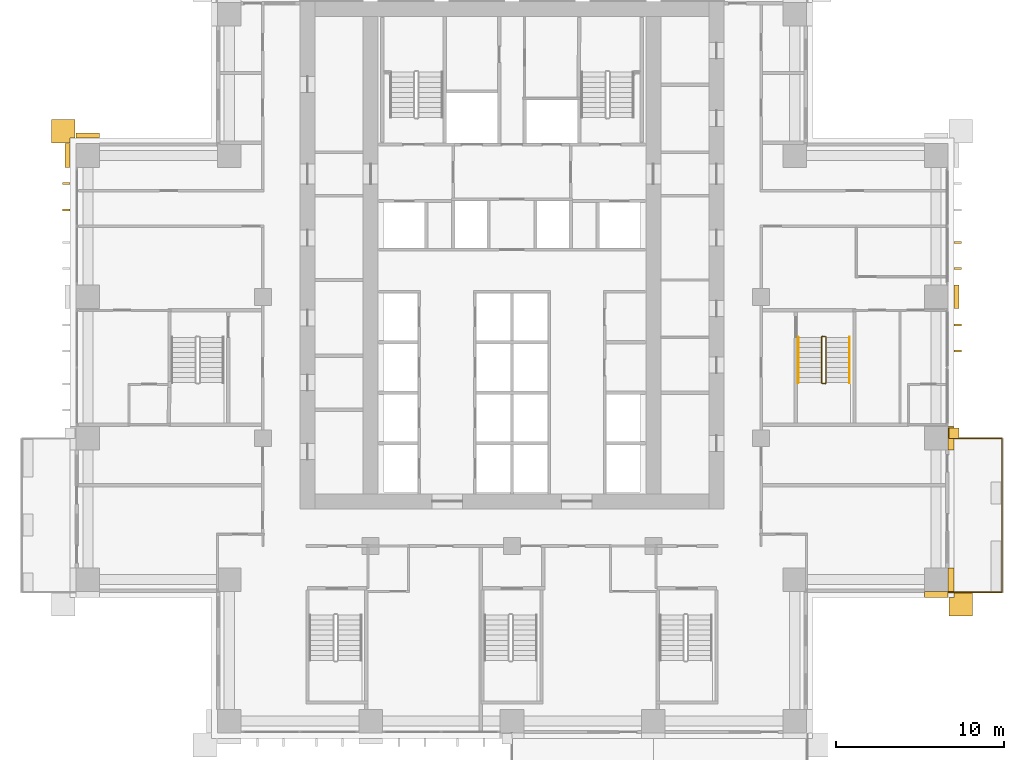
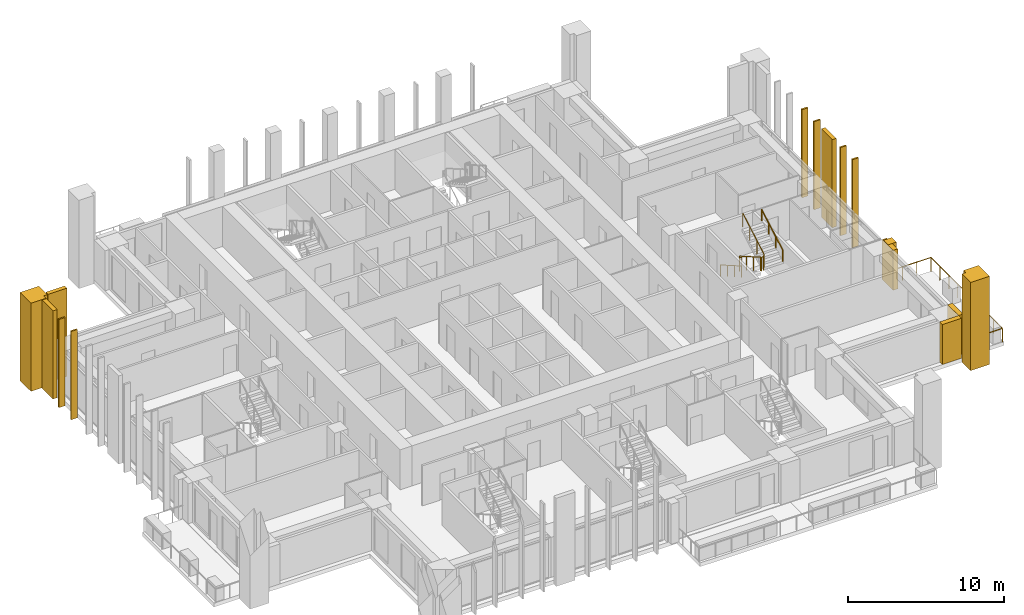
# One storey, part 17 of 19: 15 coverings, 4 railings.
"""IFC4 building model written with IfcOpenShell, lengths in metres."""

from ifc_helpers import new_model, si_unit, direction, frame, origin, origin_2d, place, context, subcontext, project, spatial, polyline, rectangle, outline, extrude, material, layer, layer_set, type_object, element, save


model = new_model("IFC4")

# Units and contexts
model_context = context("Model", 3, precision=1e-05, world=origin(), true_north=direction((0.0, 1.0)))
body_context = subcontext(model_context, "Body", "Model", "MODEL_VIEW")
ifc_project = project(units=[si_unit("LENGTHUNIT", "METRE"), si_unit("AREAUNIT", "SQUARE_METRE"), si_unit("VOLUMEUNIT", "CUBIC_METRE"), si_unit("PLANEANGLEUNIT", "RADIAN"), si_unit("MASSUNIT", "GRAM", prefix="KILO")], contexts=[model_context])

# Site, building, storey
site_placement = place(None, origin())
site = spatial("IfcSite", under=ifc_project, at=site_placement, CompositionType="ELEMENT")
building_placement = place(site_placement, origin())
building = spatial("IfcBuilding", under=site, at=building_placement, Name="Vermilion Ogive Tower", CompositionType="ELEMENT")
storey_placement = place(building_placement, frame((0.0, 0.0, 62.10009765625)))
storey = spatial("IfcBuildingStorey", under=building, at=storey_placement, Name="L14", CompositionType="ELEMENT", Elevation=62.10009765625)

# Railing
ifc_material_1 = material(Name="Stainless steel and glass", Category="steel")
railing_type_1 = type_object("IfcRailingType", Name="Balcony guard", PredefinedType="GUARDRAIL", material=ifc_material_1)
railing_1_placement = place(storey_placement, frame((25.949951171875, -13.35009765625, -0.0400390625)))
element("IfcRailing", 1, at=railing_1_placement, inside=storey, type_object=railing_type_1, Name="Guard E01", PredefinedType="GUARDRAIL", context=body_context, shape_type="SweptSolid", body=[
    extrude(rectangle(XDim=0.048095703125, YDim=0.048095703125, at=origin_2d()), frame((0.0, 0.0, 1.076171875), z_axis=(1.0, 0.0, 0.0), x_axis=(0.0, 1.0, 0.0)), (0.0, 0.0, 1.0), 3.16015625),
    extrude(rectangle(XDim=0.048095703125, YDim=0.048095703125, at=origin_2d()), frame((3.16015625, 0.0, 1.076171875), z_axis=(0.0, 1.0, 0.0), x_axis=(-1.0, 0.0, 0.0)), (0.0, 0.0, 1.0), 9.150146484375),
    extrude(rectangle(XDim=0.048095703125, YDim=0.048095703125, at=origin_2d()), frame((3.16015625, 9.150146484375, 1.076171875), z_axis=(-1.0, 0.0, 0.0), x_axis=(0.0, -1.0, 0.0)), (0.0, 0.0, 1.0), 3.16015625),
    extrude(rectangle(XDim=0.0419921875, YDim=0.0419921875, at=origin_2d()), origin(), (0.0, 0.0, 1.0), 1.052001953125),
    extrude(rectangle(XDim=0.0419921875, YDim=0.0419921875, at=origin_2d()), frame((1.053466796875, 0.0, 0.0)), (0.0, 0.0, 1.0), 1.052001953125),
    extrude(rectangle(XDim=0.0419921875, YDim=0.0419921875, at=origin_2d()), frame((2.106689453125, 0.0, 0.0)), (0.0, 0.0, 1.0), 1.052001953125),
    extrude(rectangle(XDim=0.0419921875, YDim=0.0419921875, at=origin_2d()), frame((3.16015625, 0.0, 0.0)), (0.0, 0.0, 1.0), 1.052001953125),
    extrude(rectangle(XDim=0.0419921875, YDim=0.0419921875, at=origin_2d()), frame((3.16015625, 1.143798828125, 0.0)), (0.0, 0.0, 1.0), 1.052001953125),
    extrude(rectangle(XDim=0.0419921875, YDim=0.0419921875, at=origin_2d()), frame((3.16015625, 2.28759765625, 0.0)), (0.0, 0.0, 1.0), 1.052001953125),
    extrude(rectangle(XDim=0.0419921875, YDim=0.0419921875, at=origin_2d()), frame((3.16015625, 3.431396484375, 0.0)), (0.0, 0.0, 1.0), 1.052001953125),
    extrude(rectangle(XDim=0.0419921875, YDim=0.0419921875, at=origin_2d()), frame((3.16015625, 4.5751953125, 0.0)), (0.0, 0.0, 1.0), 1.052001953125),
    extrude(rectangle(XDim=0.0419921875, YDim=0.0419921875, at=origin_2d()), frame((3.16015625, 5.71875, 0.0)), (0.0, 0.0, 1.0), 1.052001953125),
    extrude(rectangle(XDim=0.0419921875, YDim=0.0419921875, at=origin_2d()), frame((3.16015625, 6.862548828125, 0.0)), (0.0, 0.0, 1.0), 1.052001953125),
    extrude(rectangle(XDim=0.0419921875, YDim=0.0419921875, at=origin_2d()), frame((3.16015625, 8.00634765625, 0.0)), (0.0, 0.0, 1.0), 1.052001953125),
    extrude(rectangle(XDim=0.0419921875, YDim=0.0419921875, at=origin_2d()), frame((3.16015625, 9.150146484375, 0.0)), (0.0, 0.0, 1.0), 1.052001953125),
    extrude(rectangle(XDim=0.0419921875, YDim=0.0419921875, at=origin_2d()), frame((2.106689453125, 9.150146484375, 0.0)), (0.0, 0.0, 1.0), 1.052001953125),
    extrude(rectangle(XDim=0.0419921875, YDim=0.0419921875, at=origin_2d()), frame((1.053466796875, 9.150146484375, 0.0)), (0.0, 0.0, 1.0), 1.052001953125),
    extrude(rectangle(XDim=0.0419921875, YDim=0.0419921875, at=origin_2d()), frame((0.0, 9.150146484375, 0.0)), (0.0, 0.0, 1.0), 1.052001953125),
])

# Coverings
ifc_material_2 = material(Name="Glazed ceramic screen")
ifc_layer = layer(ifc_material_2, 0.14990234375)
ifc_layer_set = layer_set([ifc_layer], Name="Ceramic solar screen fin")
covering_type_1 = type_object("IfcCoveringType", Name="Ceramic solar screen fin", PredefinedType="CLADDING", material=ifc_layer_set)
covering_1_placement = place(storey_placement, frame((0.0, 0.0, -0.320068359375)))
element("IfcCovering", 2, at=covering_1_placement, inside=storey, type_object=covering_type_1, Name="Solar screen blade E001", PredefinedType="CLADDING", context=body_context, shape_type="SweptSolid", body=[
    extrude(outline(polyline([(26.699951171875, 0.9150390625), (26.699951171875, 1.034912109375), (26.25, 1.034912109375), (26.25, 0.9150390625), (26.699951171875, 0.9150390625)])), origin(), (0.0, 0.0, 1.0), 6.89990234375),
])
covering_2_placement = place(storey_placement, frame((0.0, 0.0, -0.320068359375)))
element("IfcCovering", 3, at=covering_2_placement, inside=storey, type_object=covering_type_1, Name="Solar screen blade E002", PredefinedType="CLADDING", context=body_context, shape_type="SweptSolid", body=[
    extrude(outline(polyline([(26.699951171875, 2.465087890625), (26.699951171875, 2.5849609375), (26.25, 2.5849609375), (26.25, 2.465087890625), (26.699951171875, 2.465087890625)])), origin(), (0.0, 0.0, 1.0), 6.89990234375),
])
covering_3_placement = place(storey_placement, frame((0.0, 0.0, -0.320068359375)))
element("IfcCovering", 4, at=covering_3_placement, inside=storey, type_object=covering_type_1, Name="Solar screen blade E011", PredefinedType="CLADDING", context=body_context, shape_type="SweptSolid", body=[
    extrude(outline(polyline([(26.699951171875, 5.81494140625), (26.699951171875, 5.93505859375), (26.25, 5.93505859375), (26.25, 5.81494140625), (26.699951171875, 5.81494140625)])), origin(), (0.0, 0.0, 1.0), 6.89990234375),
])
covering_4_placement = place(storey_placement, frame((0.0, 0.0, -0.320068359375)))
element("IfcCovering", 5, at=covering_4_placement, inside=storey, type_object=covering_type_1, Name="Solar screen blade E012", PredefinedType="CLADDING", context=body_context, shape_type="SweptSolid", body=[
    extrude(outline(polyline([(26.699951171875, 7.364990234375), (26.699951171875, 7.485107421875), (26.25, 7.485107421875), (26.25, 7.364990234375), (26.699951171875, 7.364990234375)])), origin(), (0.0, 0.0, 1.0), 6.89990234375),
])
covering_5_placement = place(storey_placement, frame((0.0, 0.0, -0.320068359375)))
element("IfcCovering", 6, at=covering_5_placement, inside=storey, type_object=covering_type_1, Name="Solar screen blade W021", PredefinedType="CLADDING", context=body_context, shape_type="SweptSolid", body=[
    extrude(outline(polyline([(-26.699951171875, 10.985107421875), (-26.699951171875, 10.864990234375), (-26.25, 10.864990234375), (-26.25, 10.985107421875), (-26.699951171875, 10.985107421875)])), origin(), (0.0, 0.0, 1.0), 6.89990234375),
])
covering_6_placement = place(storey_placement, frame((0.0, 0.0, -0.320068359375)))
element("IfcCovering", 7, at=covering_6_placement, inside=storey, type_object=covering_type_1, Name="Solar screen blade W022", PredefinedType="CLADDING", context=body_context, shape_type="SweptSolid", body=[
    extrude(outline(polyline([(-26.699951171875, 9.43505859375), (-26.699951171875, 9.31494140625), (-26.25, 9.31494140625), (-26.25, 9.43505859375), (-26.699951171875, 9.43505859375)])), origin(), (0.0, 0.0, 1.0), 6.89990234375),
])

# Railings
ifc_material_3 = material(Name="Steel S355 painted", Category="steel")
railing_type_2 = type_object("IfcRailingType", Name="Stair guard 1100", PredefinedType="GUARDRAIL", material=ifc_material_3)
railing_2_placement = place(storey_placement, frame((18.60009765625, 1.85009765625, 0.0)))
element("IfcRailing", 8, at=railing_2_placement, inside=storey, type_object=railing_type_2, Name="L14 ST8 stair guard 4", PredefinedType="GUARDRAIL", context=body_context, shape_type="SweptSolid", body=[
    extrude(rectangle(XDim=0.048095703125, YDim=0.048095703125, at=origin_2d()), frame((0.0, 0.0, 1.076171875), z_axis=(-1.0, 0.0, 0.0), x_axis=(0.0, -1.0, 0.0)), (0.0, 0.0, 1.0), 0.150146484375),
    extrude(rectangle(XDim=0.048095703125, YDim=0.048095703125, at=origin_2d()), frame((-0.150146484375, 0.0, 1.076171875), z_axis=(-0.268603158521, -0.268603158521, 0.925043072762), x_axis=(0.707106781187, -0.707106781187, 0.0)), (0.0, 0.0, 1.0), 0.186279296875),
    extrude(rectangle(XDim=0.048095703125, YDim=0.048095703125, at=origin_2d()), frame((-0.2001953125, -0.050048828125, 1.24853515625), z_axis=(0.0, -0.866903762492, 0.498475542607), x_axis=(1.0, 0.0, 0.0)), (0.0, 0.0, 1.0), 3.114501953125),
    extrude(rectangle(XDim=0.048095703125, YDim=0.048095703125, at=origin_2d()), frame((-0.2001953125, -2.75, 2.80078125), z_axis=(0.707106781187, -0.707106781187, 0.0), x_axis=(0.707106781187, 0.707106781187, 0.0)), (0.0, 0.0, 1.0), 0.07080078125),
    extrude(rectangle(XDim=0.048095703125, YDim=0.048095703125, at=origin_2d()), frame((-0.150146484375, -2.800048828125, 2.80078125), z_axis=(1.0, 0.0, 0.0), x_axis=(0.0, 1.0, 0.0)), (0.0, 0.0, 1.0), 0.150146484375),
    extrude(rectangle(XDim=0.048095703125, YDim=0.048095703125, at=origin_2d()), frame((0.0, -2.800048828125, 2.80078125), z_axis=(0.267062837333, 0.268371968888, 0.925556009775), x_axis=(-0.708833529934, 0.705375805398, 0.0)), (0.0, 0.0, 1.0), 0.1865234375),
    extrude(rectangle(XDim=0.048095703125, YDim=0.048095703125, at=origin_2d()), frame((0.0498046875, -2.75, 2.9736328125), z_axis=(0.0, 0.866903762492, 0.498475542607), x_axis=(-1.0, 0.0, 0.0)), (0.0, 0.0, 1.0), 3.114501953125),
    extrude(rectangle(XDim=0.0419921875, YDim=0.0419921875, at=origin_2d()), origin(), (0.0, 0.0, 1.0), 1.052001953125),
    extrude(rectangle(XDim=0.0419921875, YDim=0.0419921875, at=origin_2d()), frame((-0.150146484375, 0.0, 0.0)), (0.0, 0.0, 1.0), 1.052001953125),
    extrude(rectangle(XDim=0.0419921875, YDim=0.0419921875, at=origin_2d()), frame((-0.2001953125, -0.050048828125, 0.17236328125)), (0.0, 0.0, 1.0), 1.052001953125),
    extrude(rectangle(XDim=0.0419921875, YDim=0.0419921875, at=origin_2d()), frame((-0.2001953125, -0.949951171875, 0.68994140625)), (0.0, 0.0, 1.0), 1.052001953125),
    extrude(rectangle(XDim=0.0419921875, YDim=0.0419921875, at=origin_2d()), frame((-0.2001953125, -1.85009765625, 1.207275390625)), (0.0, 0.0, 1.0), 1.052001953125),
    extrude(rectangle(XDim=0.0419921875, YDim=0.0419921875, at=origin_2d()), frame((-0.2001953125, -2.75, 1.724853515625)), (0.0, 0.0, 1.0), 1.052001953125),
    extrude(rectangle(XDim=0.0419921875, YDim=0.0419921875, at=origin_2d()), frame((-0.150146484375, -2.800048828125, 1.724853515625)), (0.0, 0.0, 1.0), 1.052001953125),
    extrude(rectangle(XDim=0.0419921875, YDim=0.0419921875, at=origin_2d()), frame((0.0, -2.800048828125, 1.724853515625)), (0.0, 0.0, 1.0), 1.052001953125),
    extrude(rectangle(XDim=0.0419921875, YDim=0.0419921875, at=origin_2d()), frame((0.0498046875, -2.75, 1.8974609375)), (0.0, 0.0, 1.0), 1.052001953125),
    extrude(rectangle(XDim=0.0419921875, YDim=0.0419921875, at=origin_2d()), frame((0.0498046875, -1.85009765625, 2.4150390625)), (0.0, 0.0, 1.0), 1.052001953125),
    extrude(rectangle(XDim=0.0419921875, YDim=0.0419921875, at=origin_2d()), frame((0.0498046875, -0.949951171875, 2.932373046875)), (0.0, 0.0, 1.0), 1.052001953125),
    extrude(rectangle(XDim=0.0419921875, YDim=0.0419921875, at=origin_2d()), frame((0.0498046875, -0.050048828125, 3.449951171875)), (0.0, 0.0, 1.0), 1.052001953125),
])
ifc_material_4 = material(Name="Stainless steel", Category="steel")
railing_type_3 = type_object("IfcRailingType", Name="Stair handrail 900", PredefinedType="HANDRAIL", material=ifc_material_4)
railing_3_placement = place(storey_placement, frame((17.0, 1.800048828125, 0.17236328125)))
element("IfcRailing", 9, at=railing_3_placement, inside=storey, type_object=railing_type_3, Name="L14 ST8 stair handrail 1", PredefinedType="HANDRAIL", context=body_context, shape_type="SweptSolid", body=[
    extrude(rectangle(XDim=0.048095703125, YDim=0.048095703125, at=origin_2d()), frame((0.0, 0.0, 0.8759765625), z_axis=(0.0, -0.866903762492, 0.498475542607), x_axis=(1.0, 0.0, 0.0)), (0.0, 0.0, 1.0), 3.114501953125),
    extrude(rectangle(XDim=0.0419921875, YDim=0.0419921875, at=origin_2d()), origin(), (0.0, 0.0, 1.0), 0.851806640625),
    extrude(rectangle(XDim=0.0419921875, YDim=0.0419921875, at=origin_2d()), frame((0.0, -0.89990234375, 0.517578125)), (0.0, 0.0, 1.0), 0.851806640625),
    extrude(rectangle(XDim=0.0419921875, YDim=0.0419921875, at=origin_2d()), frame((0.0, -1.800048828125, 1.034912109375)), (0.0, 0.0, 1.0), 0.851806640625),
    extrude(rectangle(XDim=0.0419921875, YDim=0.0419921875, at=origin_2d()), frame((0.0, -2.699951171875, 1.552490234375)), (0.0, 0.0, 1.0), 0.851806640625),
])
railing_4_placement = place(storey_placement, frame((20.050048828125, -0.89990234375, 1.8974609375)))
element("IfcRailing", 10, at=railing_4_placement, inside=storey, type_object=railing_type_3, Name="L14 ST8 stair handrail 2", PredefinedType="HANDRAIL", context=body_context, shape_type="SweptSolid", body=[
    extrude(rectangle(XDim=0.048095703125, YDim=0.048095703125, at=origin_2d()), frame((0.0, 0.0, 0.8759765625), z_axis=(0.0, 0.866903762492, 0.498475542607), x_axis=(-1.0, 0.0, 0.0)), (0.0, 0.0, 1.0), 3.114501953125),
    extrude(rectangle(XDim=0.0419921875, YDim=0.0419921875, at=origin_2d()), origin(), (0.0, 0.0, 1.0), 0.851806640625),
    extrude(rectangle(XDim=0.0419921875, YDim=0.0419921875, at=origin_2d()), frame((0.0, 0.89990234375, 0.517578125)), (0.0, 0.0, 1.0), 0.851806640625),
    extrude(rectangle(XDim=0.0419921875, YDim=0.0419921875, at=origin_2d()), frame((0.0, 1.800048828125, 1.034912109375)), (0.0, 0.0, 1.0), 0.851806640625),
    extrude(rectangle(XDim=0.0419921875, YDim=0.0419921875, at=origin_2d()), frame((0.0, 2.699951171875, 1.552490234375)), (0.0, 0.0, 1.0), 0.851806640625),
])

# Coverings
ifc_material_5 = material(Name="Stone cladding", Category="masonry")
covering_type_2 = type_object("IfcCoveringType", Name="Stone corner buttress", PredefinedType="CLADDING", material=ifc_material_5)
covering_7_placement = place(storey_placement, origin())
element("IfcCovering", 11, at=covering_7_placement, inside=storey, type_object=covering_type_2, Name="Stone crease pier EK", PredefinedType="CLADDING", context=body_context, shape_type="SweptSolid", body=[
    extrude(outline(polyline([(26.550048828125, -4.199951171875), (26.550048828125, -3.60009765625), (25.949951171875, -3.60009765625), (25.949951171875, -4.199951171875), (26.550048828125, -4.199951171875)])), origin(), (0.0, 0.0, 1.0), 3.1298828125),
])
covering_8_placement = place(storey_placement, frame((0.0, 0.0, -0.320068359375)))
element("IfcCovering", 12, at=covering_8_placement, inside=storey, type_object=covering_type_2, Name="Stone corner buttress E1", PredefinedType="CLADDING", context=body_context, shape_type="SweptSolid", body=[
    extrude(outline(polyline([(26.25, -13.64990234375), (26.25, -13.35009765625), (27.35009765625, -13.35009765625), (27.35009765625, -14.75), (25.949951171875, -14.75), (25.949951171875, -13.64990234375), (26.25, -13.64990234375)])), origin(), (0.0, 0.0, 1.0), 6.89990234375),
])
covering_9_placement = place(storey_placement, frame((0.0, 0.0, -0.320068359375)))
element("IfcCovering", 13, at=covering_9_placement, inside=storey, type_object=covering_type_2, Name="Stone corner buttress W1", PredefinedType="CLADDING", context=body_context, shape_type="SweptSolid", body=[
    extrude(outline(polyline([(-25.949951171875, 13.64990234375), (-26.25, 13.64990234375), (-26.25, 13.35009765625), (-27.35009765625, 13.35009765625), (-27.35009765625, 14.75), (-25.949951171875, 14.75), (-25.949951171875, 13.64990234375)])), origin(), (0.0, 0.0, 1.0), 6.89990234375),
])
ifc_material_6 = material(Name="Stone cladding", Category="masonry")
covering_type_3 = type_object("IfcCoveringType", Name="Stone pier", PredefinedType="CLADDING", material=ifc_material_6)
covering_10_placement = place(storey_placement, frame((0.0, 0.0, -0.320068359375)))
element("IfcCovering", 14, at=covering_10_placement, inside=storey, type_object=covering_type_3, Name="Stone pier P+0252+042", PredefinedType="CLADDING", context=body_context, shape_type="SweptSolid", body=[
    extrude(outline(polyline([(26.550048828125, 4.89990234375), (26.550048828125, 3.5), (26.25, 3.5), (26.25, 4.89990234375), (26.550048828125, 4.89990234375)])), origin(), (0.0, 0.0, 1.0), 6.89990234375),
])
covering_11_placement = place(storey_placement, frame((0.0, 0.0, -0.320068359375)))
element("IfcCovering", 15, at=covering_11_placement, inside=storey, type_object=covering_type_3, Name="Stone pier P-0252+126X6", PredefinedType="CLADDING", context=body_context, shape_type="SweptSolid", body=[
    extrude(outline(polyline([(-25.89990234375, 13.949951171875), (-24.5, 13.949951171875), (-24.5, 13.64990234375), (-25.89990234375, 13.64990234375), (-25.89990234375, 13.949951171875)])), origin(), (0.0, 0.0, 1.0), 6.89990234375),
])
covering_12_placement = place(storey_placement, frame((0.0, 0.0, -0.320068359375)))
element("IfcCovering", 16, at=covering_12_placement, inside=storey, type_object=covering_type_3, Name="Stone pier P-0252+126W", PredefinedType="CLADDING", context=body_context, shape_type="SweptSolid", body=[
    extrude(outline(polyline([(-26.550048828125, 13.300048828125), (-26.25, 13.300048828125), (-26.25, 11.89990234375), (-26.550048828125, 11.89990234375), (-26.550048828125, 13.300048828125)])), origin(), (0.0, 0.0, 1.0), 6.89990234375),
])
covering_13_placement = place(storey_placement, origin())
element("IfcCovering", 17, at=covering_13_placement, inside=storey, type_object=covering_type_3, Name="Stone pier P+0252-042", PredefinedType="CLADDING", context=body_context, shape_type="SweptSolid", body=[
    extrude(outline(polyline([(26.25, -3.5), (26.25, -3.60009765625), (25.949951171875, -3.60009765625), (25.949951171875, -4.199951171875), (26.25, -4.199951171875), (26.25, -4.89990234375), (25.89990234375, -4.89990234375), (25.89990234375, -3.5), (26.25, -3.5)])), origin(), (0.0, 0.0, 1.0), 3.1298828125),
])
covering_14_placement = place(storey_placement, origin())
element("IfcCovering", 18, at=covering_14_placement, inside=storey, type_object=covering_type_3, Name="Stone pier P+0252-126X2", PredefinedType="CLADDING", context=body_context, shape_type="SweptSolid", body=[
    extrude(outline(polyline([(25.89990234375, -13.300048828125), (25.89990234375, -13.64990234375), (24.5, -13.64990234375), (24.5, -13.300048828125), (24.5, -13.300048828125), (25.89990234375, -13.300048828125)])), origin(), (0.0, 0.0, 1.0), 3.1298828125),
])
covering_15_placement = place(storey_placement, origin())
element("IfcCovering", 19, at=covering_15_placement, inside=storey, type_object=covering_type_3, Name="Stone pier P+0252-126E", PredefinedType="CLADDING", context=body_context, shape_type="SweptSolid", body=[
    extrude(outline(polyline([(26.25, -13.300048828125), (25.89990234375, -13.300048828125), (25.89990234375, -11.89990234375), (26.25, -11.89990234375), (26.25, -13.300048828125)])), origin(), (0.0, 0.0, 1.0), 3.1298828125),
])

save(model, "model.ifc")
